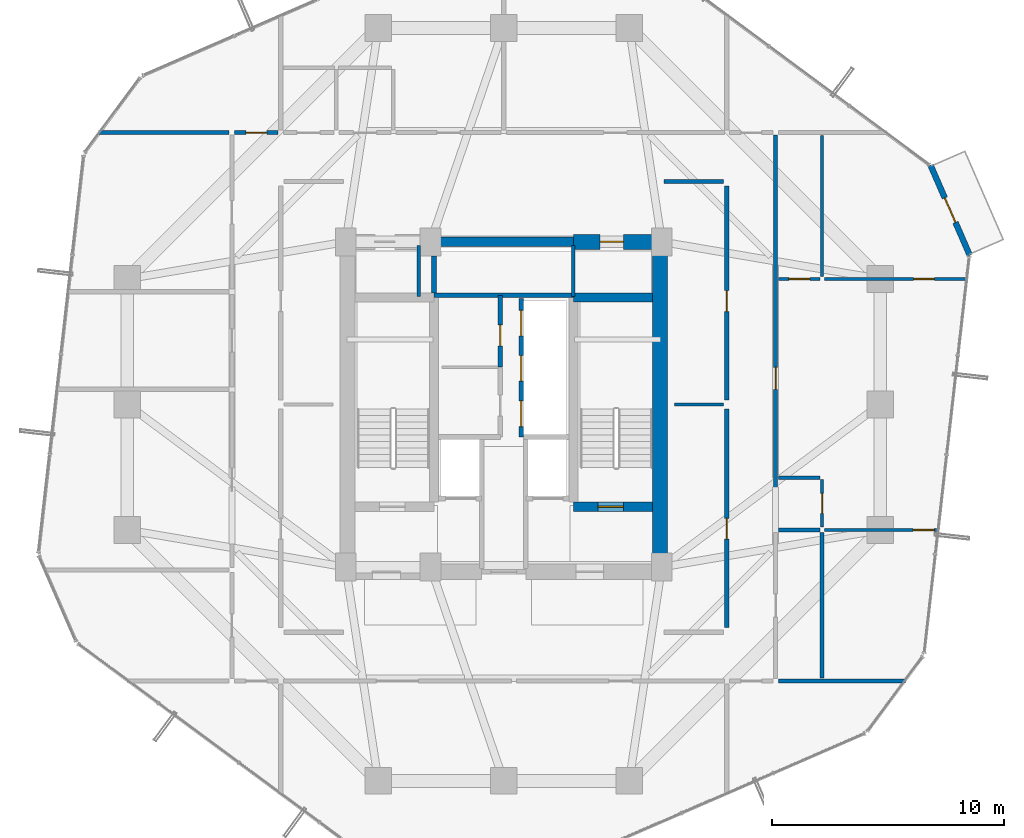
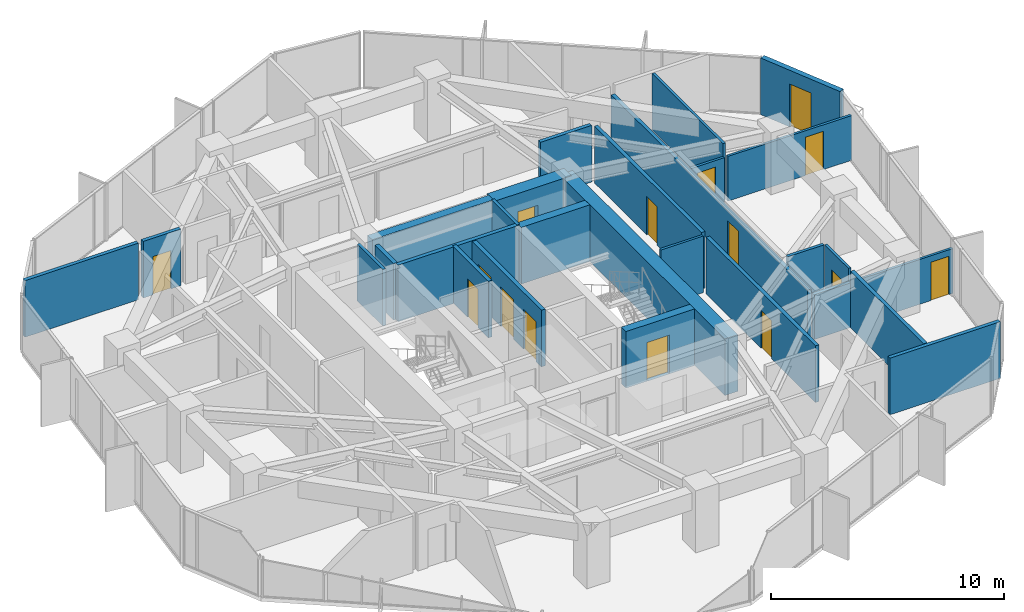
# One storey, part 26 of 29: 28 walls, 15 doors, 15 openings.
"""IFC4 building model written with IfcOpenShell, lengths in metres."""

from ifc_helpers import new_model, si_unit, direction, frame, frame_2d, origin, place, context, subcontext, project, spatial, rectangle, extrude, source, transform, mapped, material, layer, layer_set, type_object, element, fill, save


model = new_model("IFC4")

# Units and contexts
model_context = context("Model", 3, precision=1e-05, world=origin(), true_north=direction((0.0, 1.0)))
body_context = subcontext(model_context, "Body", "Model", "MODEL_VIEW")
ifc_project = project(units=[si_unit("LENGTHUNIT", "METRE"), si_unit("AREAUNIT", "SQUARE_METRE"), si_unit("VOLUMEUNIT", "CUBIC_METRE"), si_unit("PLANEANGLEUNIT", "RADIAN"), si_unit("MASSUNIT", "GRAM", prefix="KILO")], contexts=[model_context])

# Site, building, storey
site_placement = place(None, origin())
site = spatial("IfcSite", under=ifc_project, at=site_placement, CompositionType="ELEMENT")
building_placement = place(site_placement, origin())
building = spatial("IfcBuilding", under=site, at=building_placement, Name="Veraguas Prism Commons", CompositionType="ELEMENT")
storey_placement = place(building_placement, frame((0.0, 0.0, 105.699951171875)))
storey = spatial("IfcBuildingStorey", under=building, at=storey_placement, Name="L29", CompositionType="ELEMENT", Elevation=105.699951171875)

# Wall
ifc_material_1 = material(Name="Concrete C50/60", Category="concrete")
ifc_layer_1 = layer(ifc_material_1, 0.39990234375, Name="Clinic and Mid Core Shear Wall RC 400", Category="concrete")
ifc_layer_set_1 = layer_set([ifc_layer_1], Name="Concrete C50/60")
wall_type_1 = type_object("IfcWallType", Name="Clinic and Mid Core Shear Wall RC 400", PredefinedType="SHEAR", material=ifc_layer_set_1)
wall_1_placement = place(storey_placement, frame((21.0, 31.0, 0.0), z_axis=(0.0, 0.0, 1.0), x_axis=(1.0, 0.0, 0.0)))
element("IfcWall", 1, at=wall_1_placement, inside=storey, type_object=wall_type_1, Name="High-Rise Lift Bank Front Shear Wall L29", PredefinedType="SHEAR", context=body_context, shape_type="SweptSolid", body=[
    extrude(rectangle(XDim=6.0, YDim=0.39990234375, at=frame_2d((3.0, 0.0))), origin(), (0.0, 0.0, 1.0), 2.969970703125),
])

# Wall, opening, door
wall_2_placement = place(storey_placement, frame((27.0, 19.60009765625, 0.0), z_axis=(0.0, 0.0, 1.0), x_axis=(1.0, 0.0, 0.0)))
wall_2 = element("IfcWall", 2, at=wall_2_placement, inside=storey, type_object=wall_type_1, Name="Stair ST-02 South Shear Wall L29", PredefinedType="SHEAR", context=body_context, shape_type="SweptSolid", body=[
    extrude(rectangle(XDim=3.39990234375, YDim=0.39990234375, at=frame_2d((1.699951171875, 0.0))), origin(), (0.0, 0.0, 1.0), 2.969970703125),
])
opening_1_placement = place(wall_2_placement, frame((1.050048828125, 0.0, 0.0)))
opening_1 = element("IfcOpeningElement", 3, at=opening_1_placement, cuts=wall_2, Name="Opening DR-05", PredefinedType="OPENING", context=body_context, shape_type="SweptSolid", body=[
    extrude(rectangle(XDim=1.10009765625, YDim=2.030029296875, at=frame_2d((0.550048828125, 1.01513671875))), frame((0.0, 0.2099609375, 0.0), z_axis=(0.0, -1.0, 0.0), x_axis=(1.0, 0.0, 0.0)), (0.0, 0.0, 1.0), 0.419921875),
])
ifc_material_2 = material(Name="Steel fire-rated door assembly", Category="steel")
door_type_1 = type_object("IfcDoorType", Name="Protected Stair and Refuge Fire Door 1100x2030", OperationType="NOTDEFINED", PredefinedType="DOOR", material=ifc_material_2)
shared_shape_1 = source(origin(), body_context, "Body", "SweptSolid", [
    extrude(rectangle(XDim=1.10009765625, YDim=2.030029296875, at=frame_2d((0.550048828125, 1.01513671875))), frame((0.0, 0.02490234375, 0.0), z_axis=(0.0, -1.0, 0.0), x_axis=(1.0, 0.0, 0.0)), (0.0, 0.0, 1.0), 0.050048828125),
])
door_1_placement = place(opening_1_placement, origin())
door_1 = element("IfcDoor", 4, at=door_1_placement, inside=storey, type_object=door_type_1, Name="Stair ST-02 Enclosure Door L29", OperationType="SINGLE_SWING_LEFT", OverallHeight=2.030029296875, OverallWidth=1.10009765625, PredefinedType="DOOR", context=body_context, shape_type="MappedRepresentation", body=[
    mapped(shared_shape_1, transform((0.0, 0.0, 0.0), scale=1.0)),
])
fill(opening_1, door_1)

# Walls
wall_3_placement = place(storey_placement, frame((27.0, 28.60009765625, 0.0), z_axis=(0.0, 0.0, 1.0), x_axis=(1.0, 0.0, 0.0)))
element("IfcWall", 5, at=wall_3_placement, inside=storey, type_object=wall_type_1, Name="Stair ST-02 North Shear Wall L29", PredefinedType="SHEAR", context=body_context, shape_type="SweptSolid", body=[
    extrude(rectangle(XDim=3.39990234375, YDim=0.39990234375, at=frame_2d((1.699951171875, 0.0))), origin(), (0.0, 0.0, 1.0), 2.969970703125),
])
ifc_material_3 = material(Name="Concrete C55/67", Category="concrete")
ifc_layer_2 = layer(ifc_material_3, 0.64990234375, Name="Core Outer Shear Wall Mid RC 650", Category="concrete")
ifc_layer_set_2 = layer_set([ifc_layer_2], Name="Concrete C55/67")
wall_type_2 = type_object("IfcWallType", Name="Core Outer Shear Wall Mid RC 650", PredefinedType="SHEAR", material=ifc_layer_set_2)
wall_4_placement = place(storey_placement, frame((30.72509765625, 16.800048828125, 0.0), z_axis=(0.0, 0.0, 1.0), x_axis=(0.0, 1.0, 0.0)))
element("IfcWall", 6, at=wall_4_placement, inside=storey, type_object=wall_type_2, Name="Central Core East Shear Wall L29", PredefinedType="SHEAR", context=body_context, shape_type="SweptSolid", body=[
    extrude(rectangle(XDim=14.199951171875, YDim=0.64990234375, at=frame_2d((7.10009765625, 0.0))), origin(), (0.0, 0.0, 1.0), 2.969970703125),
])

# Wall, opening, door
wall_5_placement = place(storey_placement, frame((27.0, 31.0, 0.0), z_axis=(0.0, 0.0, 1.0), x_axis=(1.0, 0.0, 0.0)))
wall_5 = element("IfcWall", 7, at=wall_5_placement, inside=storey, type_object=wall_type_2, Name="Central Core North-East Shear Wall L29", PredefinedType="SHEAR", context=body_context, shape_type="SweptSolid", body=[
    extrude(rectangle(XDim=3.800048828125, YDim=0.64990234375, at=frame_2d((1.89990234375, 0.0))), origin(), (0.0, 0.0, 1.0), 2.969970703125),
])
opening_2_placement = place(wall_5_placement, frame((1.14990234375, 0.0, 0.0)))
opening_2 = element("IfcOpeningElement", 8, at=opening_2_placement, cuts=wall_5, Name="Opening DR-13", PredefinedType="OPENING", context=body_context, shape_type="SweptSolid", body=[
    extrude(rectangle(XDim=1.0, YDim=2.010009765625, at=frame_2d((0.5, 1.0048828125))), frame((0.0, 0.3349609375, 0.0), z_axis=(0.0, -1.0, 0.0), x_axis=(1.0, 0.0, 0.0)), (0.0, 0.0, 1.0), 0.669921875),
])
door_type_2 = type_object("IfcDoorType", Name="Core Accessible WC and Clinic Fire Door 1000x2010", OperationType="NOTDEFINED", PredefinedType="DOOR", material=ifc_material_2)
shared_shape_2 = source(origin(), body_context, "Body", "SweptSolid", [
    extrude(rectangle(XDim=1.0, YDim=2.010009765625, at=frame_2d((0.5, 1.0048828125))), frame((0.0, 0.02490234375, 0.0), z_axis=(0.0, -1.0, 0.0), x_axis=(1.0, 0.0, 0.0)), (0.0, 0.0, 1.0), 0.050048828125),
])
door_2_placement = place(opening_2_placement, origin())
door_2 = element("IfcDoor", 9, at=door_2_placement, inside=storey, type_object=door_type_2, Name="Core NE Pantry Door L29", OperationType="SINGLE_SWING_LEFT", OverallHeight=2.010009765625, OverallWidth=1.0, PredefinedType="DOOR", context=body_context, shape_type="MappedRepresentation", body=[
    mapped(shared_shape_2, transform((0.0, 0.0, 0.0), scale=1.0)),
])
fill(opening_2, door_2)

ifc_material_4 = material(Name="Autoclaved aerated masonry block 10 MPa", Category="masonry")
ifc_layer_3 = layer(ifc_material_4, 0.179931640625, Name="Corridor and Inter-Tenancy Partition 180", Category="masonry")
ifc_layer_set_3 = layer_set([ifc_layer_3], Name="Autoclaved aerated masonry block 10 MPa")
wall_type_3 = type_object("IfcWallType", Name="Corridor and Inter-Tenancy Partition 180", PredefinedType="PARTITIONING", material=ifc_layer_set_3)
wall_6_placement = place(storey_placement, frame((23.85009765625, 25.6201171875, 0.0), z_axis=(0.0, 0.0, 1.0), x_axis=(0.0, 1.0, 0.0)))
wall_6 = element("IfcWall", 10, at=wall_6_placement, inside=storey, type_object=wall_type_3, Name="Bookshop Alcove Partition L29", PredefinedType="PARTITIONING", context=body_context, shape_type="SweptSolid", body=[
    extrude(rectangle(XDim=3.079833984375, YDim=0.179931640625, at=frame_2d((1.5400390625, 0.0))), origin(), (0.0, 0.0, 1.0), 2.969970703125),
])
opening_3_placement = place(wall_6_placement, frame((0.89990234375, 0.0, 0.0)))
opening_3 = element("IfcOpeningElement", 11, at=opening_3_placement, cuts=wall_6, Name="Opening DR-14", PredefinedType="OPENING", context=body_context, shape_type="SweptSolid", body=[
    extrude(rectangle(XDim=0.89990234375, YDim=2.010009765625, at=frame_2d((0.449951171875, 1.0048828125))), frame((0.0, 0.099853515625, 0.0), z_axis=(0.0, -1.0, 0.0), x_axis=(1.0, 0.0, 0.0)), (0.0, 0.0, 1.0), 0.199951171875),
])
door_type_3 = type_object("IfcDoorType", Name="Core Service Room Fire Door 900x2010", OperationType="NOTDEFINED", PredefinedType="DOOR", material=ifc_material_2)
shared_shape_3 = source(origin(), body_context, "Body", "SweptSolid", [
    extrude(rectangle(XDim=0.89990234375, YDim=2.010009765625, at=frame_2d((0.449951171875, 1.0048828125))), frame((0.0, 0.02490234375, 0.0), z_axis=(0.0, -1.0, 0.0), x_axis=(1.0, 0.0, 0.0)), (0.0, 0.0, 1.0), 0.050048828125),
])
door_3_placement = place(opening_3_placement, origin())
door_3 = element("IfcDoor", 12, at=door_3_placement, inside=storey, type_object=door_type_3, Name="Bookshop Alcove Door L29", OperationType="SINGLE_SWING_LEFT", OverallHeight=2.010009765625, OverallWidth=0.89990234375, PredefinedType="DOOR", context=body_context, shape_type="MappedRepresentation", body=[
    mapped(shared_shape_3, transform((0.0, 0.0, 0.0), scale=1.0)),
])
fill(opening_3, door_3)

wall_7_placement = place(storey_placement, frame((33.60009765625, 14.39990234375, 0.0), z_axis=(0.0, 0.0, 1.0), x_axis=(0.0, 1.0, 0.0)))
wall_7 = element("IfcWall", 13, at=wall_7_placement, inside=storey, type_object=wall_type_3, Name="WL-L29-IRE1", PredefinedType="PARTITIONING", context=body_context, shape_type="SweptSolid", body=[
    extrude(rectangle(XDim=9.400146484375, YDim=0.179931640625, at=frame_2d((4.7001953125, 0.0))), origin(), (0.0, 0.0, 1.0), 2.969970703125),
])
opening_4_placement = place(wall_7_placement, frame((3.800048828125, 0.0, 0.0)))
opening_4 = element("IfcOpeningElement", 14, at=opening_4_placement, cuts=wall_7, Name="Opening DR-14", PredefinedType="OPENING", context=body_context, shape_type="SweptSolid", body=[
    extrude(rectangle(XDim=0.89990234375, YDim=2.010009765625, at=frame_2d((0.449951171875, 1.0048828125))), frame((0.0, 0.099853515625, 0.0), z_axis=(0.0, -1.0, 0.0), x_axis=(1.0, 0.0, 0.0)), (0.0, 0.0, 1.0), 0.199951171875),
])
door_4_placement = place(opening_4_placement, origin())
door_4 = element("IfcDoor", 15, at=door_4_placement, inside=storey, type_object=door_type_3, Name="Shared Laundry Annex Door L29", OperationType="SINGLE_SWING_RIGHT", OverallHeight=2.010009765625, OverallWidth=0.89990234375, PredefinedType="DOOR", context=body_context, shape_type="MappedRepresentation", body=[
    mapped(shared_shape_3, transform((0.0, 0.0, 0.0), scale=1.0)),
])
fill(opening_4, door_4)

wall_8_placement = place(storey_placement, frame((33.60009765625, 24.199951171875, 0.0), z_axis=(0.0, 0.0, 1.0), x_axis=(0.0, 1.0, 0.0)))
wall_8 = element("IfcWall", 16, at=wall_8_placement, inside=storey, type_object=wall_type_3, Name="WL-L29-IRE2", PredefinedType="PARTITIONING", context=body_context, shape_type="SweptSolid", body=[
    extrude(rectangle(XDim=9.199951171875, YDim=0.179931640625, at=frame_2d((4.60009765625, 0.0))), origin(), (0.0, 0.0, 1.0), 2.969970703125),
])
opening_5_placement = place(wall_8_placement, frame((3.800048828125, 0.0, 0.0)))
opening_5 = element("IfcOpeningElement", 17, at=opening_5_placement, cuts=wall_8, Name="Opening DR-14", PredefinedType="OPENING", context=body_context, shape_type="SweptSolid", body=[
    extrude(rectangle(XDim=0.89990234375, YDim=2.010009765625, at=frame_2d((0.449951171875, 1.0048828125))), frame((0.0, 0.099853515625, 0.0), z_axis=(0.0, -1.0, 0.0), x_axis=(1.0, 0.0, 0.0)), (0.0, 0.0, 1.0), 0.199951171875),
])
door_5_placement = place(opening_5_placement, origin())
door_5 = element("IfcDoor", 18, at=door_5_placement, inside=storey, type_object=door_type_3, Name="Community Reading Alcove Door L29", OperationType="SINGLE_SWING_LEFT", OverallHeight=2.010009765625, OverallWidth=0.89990234375, PredefinedType="DOOR", context=body_context, shape_type="MappedRepresentation", body=[
    mapped(shared_shape_3, transform((0.0, 0.0, 0.0), scale=1.0)),
])
fill(opening_5, door_5)

# Walls
wall_9_placement = place(storey_placement, frame((30.89990234375, 33.60009765625, 0.0), z_axis=(0.0, 0.0, 1.0), x_axis=(1.0, 0.0, 0.0)))
element("IfcWall", 19, at=wall_9_placement, inside=storey, type_object=wall_type_3, Name="WL-L29-IREN", PredefinedType="PARTITIONING", context=body_context, shape_type="SweptSolid", body=[
    extrude(rectangle(XDim=2.550048828125, YDim=0.179931640625, at=frame_2d((1.27490234375, 0.0))), origin(), (0.0, 0.0, 1.0), 2.969970703125),
])
wall_10_placement = place(storey_placement, frame((12.179931640625, 35.699951171875, 0.0), z_axis=(0.0, 0.0, 1.0), x_axis=(-1.0, 0.0, 0.0)))
element("IfcWall", 20, at=wall_10_placement, inside=storey, type_object=wall_type_3, Name="WL-L29-PT017", PredefinedType="PARTITIONING", context=body_context, shape_type="SweptSolid", body=[
    extrude(rectangle(XDim=5.622314453125, YDim=0.179931640625, at=frame_2d((2.81103515625, 0.0))), origin(), (0.0, 0.0, 1.0), 2.969970703125),
])
wall_11_placement = place(storey_placement, frame((35.820068359375, 12.10009765625, 0.0), z_axis=(0.0, 0.0, 1.0), x_axis=(1.0, 0.0, 0.0)))
element("IfcWall", 21, at=wall_11_placement, inside=storey, type_object=wall_type_3, Name="WL-L29-PT025", PredefinedType="PARTITIONING", context=body_context, shape_type="SweptSolid", body=[
    extrude(rectangle(XDim=5.474609375, YDim=0.179931640625, at=frame_2d((2.7373046875, 0.0))), origin(), (0.0, 0.0, 1.0), 2.969970703125),
])

# Wall, opening, door
wall_12_placement = place(storey_placement, frame((35.699951171875, 18.7099609375, 0.0), z_axis=(0.0, 0.0, 1.0), x_axis=(0.0, 1.0, 0.0)))
wall_12 = element("IfcWall", 22, at=wall_12_placement, inside=storey, type_object=wall_type_3, Name="WL-L29-PT028", PredefinedType="PARTITIONING", context=body_context, shape_type="SweptSolid", body=[
    extrude(rectangle(XDim=16.880126953125, YDim=0.179931640625, at=frame_2d((8.43994140625, 0.0))), origin(), (0.0, 0.0, 1.0), 2.550048828125),
])
opening_6_placement = place(wall_12_placement, frame((5.93994140625, 0.0, 0.0)))
opening_6 = element("IfcOpeningElement", 23, at=opening_6_placement, cuts=wall_12, Name="Opening DR-01", PredefinedType="OPENING", context=body_context, shape_type="SweptSolid", body=[
    extrude(rectangle(XDim=0.949951171875, YDim=2.02001953125, at=frame_2d((0.47509765625, 1.010009765625))), frame((0.0, 0.099853515625, 0.0), z_axis=(0.0, -1.0, 0.0), x_axis=(1.0, 0.0, 0.0)), (0.0, 0.0, 1.0), 0.199951171875),
])
ifc_material_5 = material(Name="Anodised aluminium EN AW-6063 T6", Category="aluminium")
door_type_4 = type_object("IfcDoorType", Name="Apartment Entrance Fire Door 950x2020", OperationType="NOTDEFINED", PredefinedType="DOOR", material=ifc_material_5)
shared_shape_4 = source(origin(), body_context, "Body", "SweptSolid", [
    extrude(rectangle(XDim=0.949951171875, YDim=2.02001953125, at=frame_2d((0.47509765625, 1.010009765625))), frame((0.0, 0.02490234375, 0.0), z_axis=(0.0, -1.0, 0.0), x_axis=(1.0, 0.0, 0.0)), (0.0, 0.0, 1.0), 0.050048828125),
])
door_6_placement = place(opening_6_placement, origin())
door_6 = element("IfcDoor", 24, at=door_6_placement, inside=storey, type_object=door_type_4, Name="Flat 29A Entrance Door", OperationType="SINGLE_SWING_LEFT", OverallHeight=2.02001953125, OverallWidth=0.949951171875, PredefinedType="DOOR", context=body_context, shape_type="MappedRepresentation", body=[
    mapped(shared_shape_4, transform((0.0, 0.0, 0.0), scale=1.0)),
])
fill(opening_6, door_6)

# Walls
wall_13_placement = place(storey_placement, frame((37.699951171875, 12.219970703125, 0.0), z_axis=(0.0, 0.0, 1.0), x_axis=(0.0, 1.0, 0.0)))
element("IfcWall", 25, at=wall_13_placement, inside=storey, type_object=wall_type_3, Name="WL-L29-PT029", PredefinedType="PARTITIONING", context=body_context, shape_type="SweptSolid", body=[
    extrude(rectangle(XDim=6.280029296875, YDim=0.179931640625, at=frame_2d((3.14013671875, 0.0))), origin(), (0.0, 0.0, 1.0), 2.969970703125),
])
wall_14_placement = place(storey_placement, frame((35.820068359375, 18.60009765625, 0.0), z_axis=(0.0, 0.0, 1.0), x_axis=(1.0, 0.0, 0.0)))
element("IfcWall", 26, at=wall_14_placement, inside=storey, type_object=wall_type_3, Name="WL-L29-PT030", PredefinedType="PARTITIONING", context=body_context, shape_type="SweptSolid", body=[
    extrude(rectangle(XDim=1.800048828125, YDim=0.179931640625, at=frame_2d((0.89990234375, 0.0))), origin(), (0.0, 0.0, 1.0), 2.34814453125),
])

# Wall, opening, door
wall_15_placement = place(storey_placement, frame((12.419921875, 35.699951171875, 0.0), z_axis=(0.0, 0.0, 1.0), x_axis=(1.0, 0.0, 0.0)))
wall_15 = element("IfcWall", 27, at=wall_15_placement, inside=storey, type_object=wall_type_3, Name="WL-L29-PT039", PredefinedType="PARTITIONING", context=body_context, shape_type="SweptSolid", body=[
    extrude(rectangle(XDim=1.860107421875, YDim=0.179931640625, at=frame_2d((0.93017578125, 0.0))), origin(), (0.0, 0.0, 1.0), 2.969970703125),
])
opening_7_placement = place(wall_15_placement, frame((0.47998046875, 0.0, 0.0)))
opening_7 = element("IfcOpeningElement", 28, at=opening_7_placement, cuts=wall_15, Name="Opening DR-14", PredefinedType="OPENING", context=body_context, shape_type="SweptSolid", body=[
    extrude(rectangle(XDim=0.89990234375, YDim=2.010009765625, at=frame_2d((0.449951171875, 1.0048828125))), frame((0.0, 0.099853515625, 0.0), z_axis=(0.0, -1.0, 0.0), x_axis=(1.0, 0.0, 0.0)), (0.0, 0.0, 1.0), 0.199951171875),
])
door_7_placement = place(opening_7_placement, origin())
door_7 = element("IfcDoor", 29, at=door_7_placement, inside=storey, type_object=door_type_3, Name="Corner Study NW Door", OperationType="SINGLE_SWING_RIGHT", OverallHeight=2.010009765625, OverallWidth=0.89990234375, PredefinedType="DOOR", context=body_context, shape_type="MappedRepresentation", body=[
    mapped(shared_shape_3, transform((0.0, 0.0, 0.0), scale=1.0)),
])
fill(opening_7, door_7)

ifc_material_6 = material(Name="Precast concrete C40/50", Category="concrete")
ifc_layer_4 = layer(ifc_material_6, 0.25, Name="External Loggia and Portal Wall 250", Category="concrete")
ifc_layer_set_4 = layer_set([ifc_layer_4], Name="Precast concrete C40/50")
wall_type_4 = type_object("IfcWallType", Name="External Loggia and Portal Wall 250", PredefinedType="SOLIDWALL", material=ifc_layer_set_4)
wall_16_placement = place(storey_placement, frame((44.05517578125, 30.420166015625, 0.0), z_axis=(0.0, 0.0, 1.0), x_axis=(-0.399084577484, 0.916914118124, 0.0)))
wall_16 = element("IfcWall", 30, at=wall_16_placement, inside=storey, type_object=wall_type_4, Name="Corner Loggia Wall L29-C1", PredefinedType="SOLIDWALL", context=body_context, shape_type="SweptSolid", body=[
    extrude(rectangle(XDim=4.2333984375, YDim=0.25, at=frame_2d((2.11669921875, 0.0))), origin(), (0.0, 0.0, 1.0), 2.969970703125),
])
opening_8_placement = place(wall_16_placement, frame((1.5419921875, 0.0, 0.0)))
opening_8 = element("IfcOpeningElement", 31, at=opening_8_placement, cuts=wall_16, Name="Opening DR-10", PredefinedType="OPENING", context=body_context, shape_type="SweptSolid", body=[
    extrude(rectangle(XDim=1.14990234375, YDim=2.25, at=frame_2d((0.574951171875, 1.125))), frame((0.0, 0.135009765625, 0.0), z_axis=(0.0, -1.0, 0.0), x_axis=(1.0, 0.0, 0.0)), (0.0, 0.0, 1.0), 0.27001953125),
])
door_type_5 = type_object("IfcDoorType", Name="Glazed Loggia and Terrace Door 1150x2250", OperationType="NOTDEFINED", PredefinedType="DOOR", material=ifc_material_5)
shared_shape_5 = source(origin(), body_context, "Body", "SweptSolid", [
    extrude(rectangle(XDim=1.14990234375, YDim=2.25, at=frame_2d((0.574951171875, 1.125))), frame((0.0, 0.02490234375, 0.0), z_axis=(0.0, -1.0, 0.0), x_axis=(1.0, 0.0, 0.0)), (0.0, 0.0, 1.0), 0.050048828125),
])
door_8_placement = place(opening_8_placement, frame((1.14990234375, 0.0, 0.0), z_axis=(0.0, 0.0, 1.0), x_axis=(-1.0, 0.0, 0.0)))
door_8 = element("IfcDoor", 32, at=door_8_placement, inside=storey, type_object=door_type_5, Name="Recessed Loggia Door L29-C1", OperationType="SINGLE_SWING_LEFT", OverallHeight=2.25, OverallWidth=1.14990234375, PredefinedType="DOOR", context=body_context, shape_type="MappedRepresentation", body=[
    mapped(shared_shape_5, transform((0.0, 0.0, 0.0), scale=1.0)),
])
fill(opening_8, door_8)

# Wall
ifc_material_7 = material(Name="Lightweight acoustic gypsum board")
ifc_layer_5 = layer(ifc_material_7, 0.125, Name="Internal Apartment Room Partition 125")
ifc_layer_set_5 = layer_set([ifc_layer_5], Name="Lightweight acoustic gypsum board")
wall_type_5 = type_object("IfcWallType", Name="Internal Apartment Room Partition 125", PredefinedType="PARTITIONING", material=ifc_layer_set_5)
wall_17_placement = place(storey_placement, frame((31.35009765625, 24.0, 0.0), z_axis=(0.0, 0.0, 1.0), x_axis=(1.0, 0.0, 0.0)))
element("IfcWall", 33, at=wall_17_placement, inside=storey, type_object=wall_type_5, Name="WL-L29-IREM", PredefinedType="PARTITIONING", context=body_context, shape_type="SweptSolid", body=[
    extrude(rectangle(XDim=2.099853515625, YDim=0.125, at=frame_2d((1.0498046875, 0.0))), origin(), (0.0, 0.0, 1.0), 2.969970703125),
])

# Wall, opening, door
wall_18_placement = place(storey_placement, frame((37.800048828125, 18.60009765625, 0.0), z_axis=(0.0, 0.0, 1.0), x_axis=(1.0, 0.0, 0.0)))
wall_18 = element("IfcWall", 34, at=wall_18_placement, inside=storey, type_object=wall_type_5, Name="WL-L29-PT031", PredefinedType="PARTITIONING", context=body_context, shape_type="SweptSolid", body=[
    extrude(rectangle(XDim=4.922607421875, YDim=0.125, at=frame_2d((2.46142578125, 0.0))), origin(), (0.0, 0.0, 1.0), 2.34814453125),
])
opening_9_placement = place(wall_18_placement, frame((3.822509765625, 0.0, 0.0)))
opening_9 = element("IfcOpeningElement", 35, at=opening_9_placement, cuts=wall_18, Name="Opening DR-02", PredefinedType="OPENING", context=body_context, shape_type="SweptSolid", body=[
    extrude(rectangle(XDim=0.89990234375, YDim=2.010009765625, at=frame_2d((0.449951171875, 1.0048828125))), frame((0.0, 0.072509765625, 0.0), z_axis=(0.0, -1.0, 0.0), x_axis=(1.0, 0.0, 0.0)), (0.0, 0.0, 1.0), 0.14501953125),
])
ifc_material_8 = material(Name="Timber solid core hardwood", Category="wood")
door_type_6 = type_object("IfcDoorType", Name="Internal Habitable Room Door 900x2010", OperationType="NOTDEFINED", PredefinedType="DOOR", material=ifc_material_8)
door_9_placement = place(opening_9_placement, origin())
door_9 = element("IfcDoor", 36, at=door_9_placement, inside=storey, type_object=door_type_6, Name="Flat 29A Bedroom 2 Door", OperationType="SINGLE_SWING_RIGHT", OverallHeight=2.010009765625, OverallWidth=0.89990234375, PredefinedType="DOOR", context=body_context, shape_type="MappedRepresentation", body=[
    mapped(shared_shape_3, transform((0.0, 0.0, 0.0), scale=1.0)),
])
fill(opening_9, door_9)

wall_19_placement = place(storey_placement, frame((37.699951171875, 18.719970703125, 0.0), z_axis=(0.0, 0.0, 1.0), x_axis=(0.0, 1.0, 0.0)))
wall_19 = element("IfcWall", 37, at=wall_19_placement, inside=storey, type_object=wall_type_5, Name="WL-L29-PT033", PredefinedType="PARTITIONING", context=body_context, shape_type="SweptSolid", body=[
    extrude(rectangle(XDim=2.050048828125, YDim=0.125, at=frame_2d((1.02490234375, 0.0))), origin(), (0.0, 0.0, 1.0), 2.969970703125),
])
opening_10_placement = place(wall_19_placement, frame((0.594970703125, 0.0, 0.0)))
opening_10 = element("IfcOpeningElement", 38, at=opening_10_placement, cuts=wall_19, Name="Opening DR-03", PredefinedType="OPENING", context=body_context, shape_type="SweptSolid", body=[
    extrude(rectangle(XDim=0.860107421875, YDim=2.010009765625, at=frame_2d((0.43017578125, 1.0048828125))), frame((0.0, 0.072509765625, 0.0), z_axis=(0.0, -1.0, 0.0), x_axis=(1.0, 0.0, 0.0)), (0.0, 0.0, 1.0), 0.14501953125),
])
ifc_material_9 = material(Name="Timber moisture-resistant leaf", Category="wood")
door_type_7 = type_object("IfcDoorType", Name="Internal Bathroom Door 860x2010", OperationType="NOTDEFINED", PredefinedType="DOOR", material=ifc_material_9)
shared_shape_6 = source(origin(), body_context, "Body", "SweptSolid", [
    extrude(rectangle(XDim=0.860107421875, YDim=2.010009765625, at=frame_2d((0.43017578125, 1.0048828125))), frame((0.0, 0.02490234375, 0.0), z_axis=(0.0, -1.0, 0.0), x_axis=(1.0, 0.0, 0.0)), (0.0, 0.0, 1.0), 0.050048828125),
])
door_10_placement = place(opening_10_placement, origin())
door_10 = element("IfcDoor", 39, at=door_10_placement, inside=storey, type_object=door_type_7, Name="Flat 29A Bathroom Door", OperationType="SINGLE_SWING_LEFT", OverallHeight=2.010009765625, OverallWidth=0.860107421875, PredefinedType="DOOR", context=body_context, shape_type="MappedRepresentation", body=[
    mapped(shared_shape_6, transform((0.0, 0.0, 0.0), scale=1.0)),
])
fill(opening_10, door_10)

wall_20_placement = place(storey_placement, frame((35.820068359375, 29.39990234375, 0.0), z_axis=(0.0, 0.0, 1.0), x_axis=(1.0, 0.0, 0.0)))
wall_20 = element("IfcWall", 40, at=wall_20_placement, inside=storey, type_object=wall_type_5, Name="WL-L29-PT034", PredefinedType="PARTITIONING", context=body_context, shape_type="SweptSolid", body=[
    extrude(rectangle(XDim=1.800048828125, YDim=0.125, at=frame_2d((0.89990234375, 0.0))), origin(), (0.0, 0.0, 1.0), 2.34814453125),
])
opening_11_placement = place(wall_20_placement, frame((0.449951171875, 0.0, 0.0)))
opening_11 = element("IfcOpeningElement", 41, at=opening_11_placement, cuts=wall_20, Name="Opening DR-02", PredefinedType="OPENING", context=body_context, shape_type="SweptSolid", body=[
    extrude(rectangle(XDim=0.89990234375, YDim=2.010009765625, at=frame_2d((0.449951171875, 1.0048828125))), frame((0.0, 0.072509765625, 0.0), z_axis=(0.0, -1.0, 0.0), x_axis=(1.0, 0.0, 0.0)), (0.0, 0.0, 1.0), 0.14501953125),
])
door_11_placement = place(opening_11_placement, origin())
door_11 = element("IfcDoor", 42, at=door_11_placement, inside=storey, type_object=door_type_6, Name="Flat 29A Kitchen Door", OperationType="SINGLE_SWING_RIGHT", OverallHeight=2.010009765625, OverallWidth=0.89990234375, PredefinedType="DOOR", context=body_context, shape_type="MappedRepresentation", body=[
    mapped(shared_shape_3, transform((0.0, 0.0, 0.0), scale=1.0)),
])
fill(opening_11, door_11)

# Wall
wall_21_placement = place(storey_placement, frame((37.699951171875, 29.5, 0.0), z_axis=(0.0, 0.0, 1.0), x_axis=(0.0, 1.0, 0.0)))
element("IfcWall", 43, at=wall_21_placement, inside=storey, type_object=wall_type_5, Name="WL-L29-PT035", PredefinedType="PARTITIONING", context=body_context, shape_type="SweptSolid", body=[
    extrude(rectangle(XDim=6.080078125, YDim=0.125, at=frame_2d((3.0400390625, 0.0))), origin(), (0.0, 0.0, 1.0), 2.969970703125),
])

# Wall, opening, door
wall_22_placement = place(storey_placement, frame((37.800048828125, 29.39990234375, 0.0), z_axis=(0.0, 0.0, 1.0), x_axis=(1.0, 0.0, 0.0)))
wall_22 = element("IfcWall", 44, at=wall_22_placement, inside=storey, type_object=wall_type_5, Name="WL-L29-PT036", PredefinedType="PARTITIONING", context=body_context, shape_type="SweptSolid", body=[
    extrude(rectangle(XDim=6.149169921875, YDim=0.125, at=frame_2d((3.07470703125, 0.0))), origin(), (0.0, 0.0, 1.0), 2.34814453125),
])
opening_12_placement = place(wall_22_placement, frame((3.8369140625, 0.0, 0.0)))
opening_12 = element("IfcOpeningElement", 45, at=opening_12_placement, cuts=wall_22, Name="Opening DR-02", PredefinedType="OPENING", context=body_context, shape_type="SweptSolid", body=[
    extrude(rectangle(XDim=0.89990234375, YDim=2.010009765625, at=frame_2d((0.449951171875, 1.0048828125))), frame((0.0, 0.072509765625, 0.0), z_axis=(0.0, -1.0, 0.0), x_axis=(1.0, 0.0, 0.0)), (0.0, 0.0, 1.0), 0.14501953125),
])
door_12_placement = place(opening_12_placement, origin())
door_12 = element("IfcDoor", 46, at=door_12_placement, inside=storey, type_object=door_type_6, Name="Flat 29A Bedroom 1 Door", OperationType="SINGLE_SWING_LEFT", OverallHeight=2.010009765625, OverallWidth=0.89990234375, PredefinedType="DOOR", context=body_context, shape_type="MappedRepresentation", body=[
    mapped(shared_shape_3, transform((0.0, 0.0, 0.0), scale=1.0)),
])
fill(opening_12, door_12)

# Walls
ifc_layer_6 = layer(ifc_material_4, 0.199951171875, Name="Rated Shaft and Lobby Block Wall 200", Category="masonry")
ifc_layer_set_6 = layer_set([ifc_layer_6], Name="Autoclaved aerated masonry block 10 MPa")
wall_type_6 = type_object("IfcWallType", Name="Rated Shaft and Lobby Block Wall 200", PredefinedType="SOLIDWALL", material=ifc_layer_set_6)
wall_23_placement = place(storey_placement, frame((21.0, 28.699951171875, 0.0), z_axis=(0.0, 0.0, 1.0), x_axis=(1.0, 0.0, 0.0)))
element("IfcWall", 47, at=wall_23_placement, inside=storey, type_object=wall_type_6, Name="High-Rise Lift Bank Rear Shaft Wall L29", PredefinedType="SOLIDWALL", context=body_context, shape_type="SweptSolid", body=[
    extrude(rectangle(XDim=6.0, YDim=0.199951171875, at=frame_2d((3.0, 0.0))), origin(), (0.0, 0.0, 1.0), 2.969970703125),
])
wall_24_placement = place(storey_placement, frame((21.0, 28.800048828125, 0.0), z_axis=(0.0, 0.0, 1.0), x_axis=(0.0, 1.0, 0.0)))
element("IfcWall", 48, at=wall_24_placement, inside=storey, type_object=wall_type_6, Name="High-Rise Lift Bank West Shaft Wall L29", PredefinedType="SOLIDWALL", context=body_context, shape_type="SweptSolid", body=[
    extrude(rectangle(XDim=1.599853515625, YDim=0.199951171875, at=frame_2d((0.7998046875, 0.0))), origin(), (0.0, 0.0, 1.0), 2.969970703125),
])

# Wall, openings, doors
wall_25_placement = place(storey_placement, frame((24.75, 22.60009765625, 0.0), z_axis=(0.0, 0.0, 1.0), x_axis=(0.0, 1.0, 0.0)))
wall_25 = element("IfcWall", 49, at=wall_25_placement, inside=storey, type_object=wall_type_6, Name="Mid-Rise Lift Bank Front Wall L29", PredefinedType="SOLIDWALL", context=body_context, shape_type="SweptSolid", body=[
    extrude(rectangle(XDim=5.949951171875, YDim=0.199951171875, at=frame_2d((2.97509765625, 0.0))), origin(), (0.0, 0.0, 1.0), 2.969970703125),
])
opening_13_placement = place(wall_25_placement, frame((0.449951171875, 0.0, 0.0)))
opening_13 = element("IfcOpeningElement", 50, at=opening_13_placement, cuts=wall_25, Name="Opening LD-01", PredefinedType="OPENING", context=body_context, shape_type="SweptSolid", body=[
    extrude(rectangle(XDim=1.10009765625, YDim=2.080078125, at=frame_2d((0.550048828125, 1.0400390625))), frame((0.0, 0.10986328125, 0.0), z_axis=(0.0, -1.0, 0.0), x_axis=(1.0, 0.0, 0.0)), (0.0, 0.0, 1.0), 0.219970703125),
])
opening_14_placement = place(wall_25_placement, frame((2.39990234375, 0.0, 0.0)))
opening_14 = element("IfcOpeningElement", 51, at=opening_14_placement, cuts=wall_25, Name="Opening LD-01", PredefinedType="OPENING", context=body_context, shape_type="SweptSolid", body=[
    extrude(rectangle(XDim=1.10009765625, YDim=2.080078125, at=frame_2d((0.550048828125, 1.0400390625))), frame((0.0, 0.10986328125, 0.0), z_axis=(0.0, -1.0, 0.0), x_axis=(1.0, 0.0, 0.0)), (0.0, 0.0, 1.0), 0.219970703125),
])
opening_15_placement = place(wall_25_placement, frame((4.35009765625, 0.0, 0.0)))
opening_15 = element("IfcOpeningElement", 52, at=opening_15_placement, cuts=wall_25, Name="Opening LD-01", PredefinedType="OPENING", context=body_context, shape_type="SweptSolid", body=[
    extrude(rectangle(XDim=1.10009765625, YDim=2.080078125, at=frame_2d((0.550048828125, 1.0400390625))), frame((0.0, 0.10986328125, 0.0), z_axis=(0.0, -1.0, 0.0), x_axis=(1.0, 0.0, 0.0)), (0.0, 0.0, 1.0), 0.219970703125),
])
ifc_material_10 = material(Name="Stainless steel AISI 316", Category="steel")
door_type_8 = type_object("IfcDoorType", Name="Passenger Lift Sliding Landing Door 1100x2080", OperationType="NOTDEFINED", PredefinedType="DOOR", material=ifc_material_10)
shared_shape_7 = source(origin(), body_context, "Body", "SweptSolid", [
    extrude(rectangle(XDim=1.10009765625, YDim=2.080078125, at=frame_2d((0.550048828125, 1.0400390625))), frame((0.0, 0.02490234375, 0.0), z_axis=(0.0, -1.0, 0.0), x_axis=(1.0, 0.0, 0.0)), (0.0, 0.0, 1.0), 0.050048828125),
])
door_13_placement = place(opening_13_placement, origin())
door_13 = element("IfcDoor", 53, at=door_13_placement, inside=storey, type_object=door_type_8, Name="Sliding Landing Door PL-M1 L29", OperationType="SLIDING_TO_LEFT", OverallHeight=2.080078125, OverallWidth=1.10009765625, PredefinedType="DOOR", context=body_context, shape_type="MappedRepresentation", body=[
    mapped(shared_shape_7, transform((0.0, 0.0, 0.0), scale=1.0)),
])
fill(opening_13, door_13)
door_14_placement = place(opening_14_placement, origin())
door_14 = element("IfcDoor", 54, at=door_14_placement, inside=storey, type_object=door_type_8, Name="Sliding Landing Door PL-M2 L29", OperationType="SLIDING_TO_LEFT", OverallHeight=2.080078125, OverallWidth=1.10009765625, PredefinedType="DOOR", context=body_context, shape_type="MappedRepresentation", body=[
    mapped(shared_shape_7, transform((0.0, 0.0, 0.0), scale=1.0)),
])
fill(opening_14, door_14)
door_15_placement = place(opening_15_placement, origin())
door_15 = element("IfcDoor", 55, at=door_15_placement, inside=storey, type_object=door_type_8, Name="Sliding Landing Door PL-M3 L29", OperationType="SLIDING_TO_LEFT", OverallHeight=2.080078125, OverallWidth=1.10009765625, PredefinedType="DOOR", context=body_context, shape_type="MappedRepresentation", body=[
    mapped(shared_shape_7, transform((0.0, 0.0, 0.0), scale=1.0)),
])
fill(opening_15, door_15)

# Walls
ifc_layer_7 = layer(ifc_material_7, 0.14990234375, Name="Wet Room and Clinic Acoustic Partition 150")
ifc_layer_set_7 = layer_set([ifc_layer_7], Name="Lightweight acoustic gypsum board")
wall_type_7 = type_object("IfcWallType", Name="Wet Room and Clinic Acoustic Partition 150", PredefinedType="PARTITIONING", material=ifc_layer_set_7)
for number, where, z_axis, x_axis, name in (
    (56, (20.35009765625, 28.64990234375, 0.0), (0.0, 0.0, 1.0), (0.0, 1.0, 0.0), "Core NW Service Inner Wall L29"),
    (57, (27.0, 28.64990234375, 0.0), (0.0, 0.0, 1.0), (0.0, 1.0, 0.0), "Core NE Service Inner Wall L29"),
):
    element("IfcWall", number, at=place(storey_placement, frame(where, z_axis=z_axis, x_axis=x_axis)), inside=storey, type_object=wall_type_7, Name=name, PredefinedType="PARTITIONING", context=body_context, shape_type="SweptSolid", body=[
        extrude(rectangle(XDim=2.2001953125, YDim=0.14990234375, at=frame_2d((1.10009765625, 0.0))), origin(), (0.0, 0.0, 1.0), 2.969970703125),
    ])
wall_26_placement = place(storey_placement, frame((35.820068359375, 20.85009765625, 0.0), z_axis=(0.0, 0.0, 1.0), x_axis=(1.0, 0.0, 0.0)))
element("IfcWall", 58, at=wall_26_placement, inside=storey, type_object=wall_type_7, Name="WL-L29-PT032", PredefinedType="PARTITIONING", context=body_context, shape_type="SweptSolid", body=[
    extrude(rectangle(XDim=1.800048828125, YDim=0.14990234375, at=frame_2d((0.89990234375, 0.0))), origin(), (0.0, 0.0, 1.0), 2.969970703125),
])

save(model, "model.ifc")
